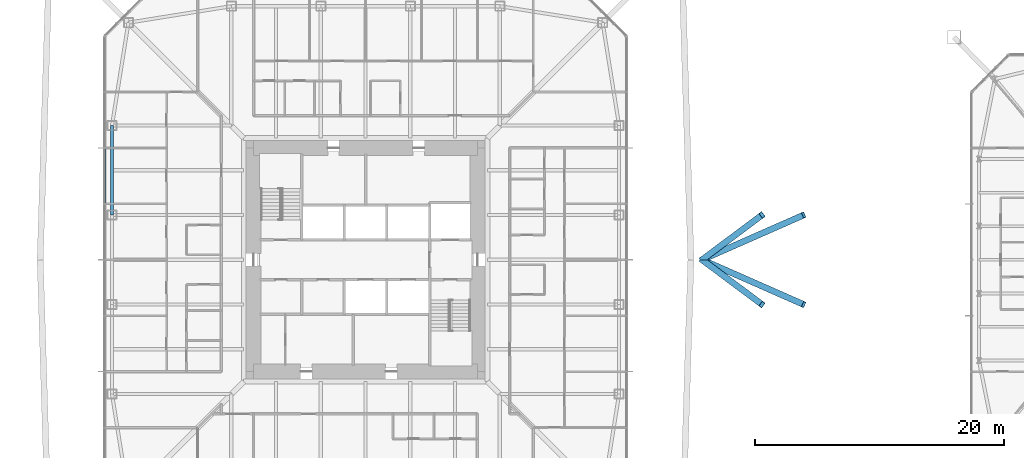
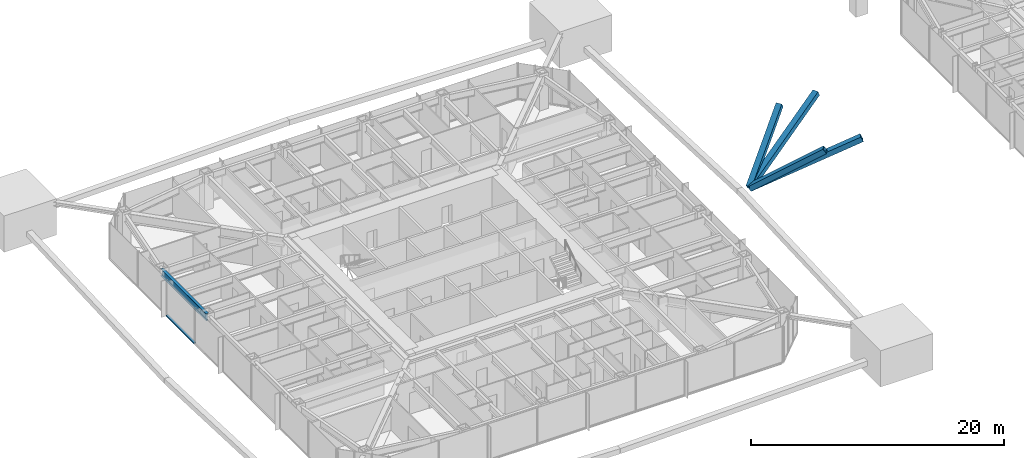
# One storey, part 6 of 27: 5 members, 1 beam, 1 element without a shape of its own.
"""IFC4 building model written with IfcOpenShell, lengths in metres."""

from ifc_helpers import new_model, si_unit, direction, frame, origin, origin_2d, place, context, subcontext, project, spatial, rectangle, hollow_rectangle, i_section, extrude, material, material_profile, profile_set, type_object, element, aggregate, save


model = new_model("IFC4")

# Units and contexts
model_context = context("Model", 3, precision=1e-05, world=origin(), true_north=direction((0.0, 1.0)))
body_context = subcontext(model_context, "Body", "Model", "MODEL_VIEW")
ifc_project = project(units=[si_unit("LENGTHUNIT", "METRE"), si_unit("AREAUNIT", "SQUARE_METRE"), si_unit("VOLUMEUNIT", "CUBIC_METRE"), si_unit("PLANEANGLEUNIT", "RADIAN"), si_unit("MASSUNIT", "GRAM", prefix="KILO")], contexts=[model_context])

# Site, building, storey
site_placement = place(None, origin())
site = spatial("IfcSite", under=ifc_project, at=site_placement, CompositionType="ELEMENT")
building_placement = place(site_placement, origin())
building = spatial("IfcBuilding", under=site, at=building_placement, Name="Iwan Alto Co-Living Towers", CompositionType="ELEMENT")
storey_placement = place(building_placement, frame((0.0, 0.0, 91.0)))
storey = spatial("IfcBuildingStorey", under=building, at=storey_placement, Name="L24", CompositionType="ELEMENT", Elevation=91.0)

# Members
ifc_material_1 = material(Name="Steel ASTM A572 Gr 50", Category="steel")
ifc_material_profile_1 = material_profile(ifc_material_1, hollow_rectangle(XDim=0.5, YDim=0.5, WallThickness=0.031982421875, at=origin_2d()), Name="BOX 500X500X32")
ifc_profile_set_1 = profile_set([ifc_material_profile_1], Name="Steel ASTM A572 Gr 50")
member_type_1 = type_object("IfcMemberType", Name="BRIDGE POD STRUT BOX 500X500X32", PredefinedType="STRUT", material=ifc_profile_set_1)
member_1_placement = place(storey_placement, frame((27.07568359375, 0.0, 1.01904296875), z_axis=(0.661103677644, -0.493351965108, 0.565283792382), x_axis=(0.598077414201, 0.801438336132, 0.0)))
element("IfcMember", 1, at=member_1_placement, inside=storey, type_object=member_type_1, Name="BR1 landing strut S", PredefinedType="STRUT", context=body_context, shape_type="SweptSolid", body=[
    extrude(hollow_rectangle(XDim=0.5, YDim=0.5, WallThickness=0.031982421875, at=origin_2d()), origin(), (0.0, 0.0, 1.0), 7.297119140625),
])
member_2_placement = place(storey_placement, frame((27.07568359375, 0.0, 1.01904296875), z_axis=(0.830851176691, -0.365919940609, 0.419271891803), x_axis=(0.403057356618, 0.915174719535, 0.0)))
element("IfcMember", 2, at=member_2_placement, inside=storey, type_object=member_type_1, Name="BR1 landing tip strut S", PredefinedType="STRUT", context=body_context, shape_type="SweptSolid", body=[
    extrude(hollow_rectangle(XDim=0.5, YDim=0.5, WallThickness=0.031982421875, at=origin_2d()), origin(), (0.0, 0.0, 1.0), 9.83837890625),
])
member_3_placement = place(storey_placement, frame((27.07568359375, 0.0, 1.01904296875), z_axis=(0.661103677644, 0.493351965108, 0.565283792382), x_axis=(-0.598077414201, 0.801438336132, 0.0)))
element("IfcMember", 3, at=member_3_placement, inside=storey, type_object=member_type_1, Name="BR1 landing strut N", PredefinedType="STRUT", context=body_context, shape_type="SweptSolid", body=[
    extrude(hollow_rectangle(XDim=0.5, YDim=0.5, WallThickness=0.031982421875, at=origin_2d()), origin(), (0.0, 0.0, 1.0), 7.297119140625),
])
member_4_placement = place(storey_placement, frame((27.07568359375, 0.0, 1.01904296875), z_axis=(0.830851176691, 0.365919940609, 0.419271891803), x_axis=(-0.403057356618, 0.915174719535, 0.0)))
element("IfcMember", 4, at=member_4_placement, inside=storey, type_object=member_type_1, Name="BR1 landing tip strut N", PredefinedType="STRUT", context=body_context, shape_type="SweptSolid", body=[
    extrude(hollow_rectangle(XDim=0.5, YDim=0.5, WallThickness=0.031982421875, at=origin_2d()), origin(), (0.0, 0.0, 1.0), 9.83837890625),
])

# Curtain wall, member
ifc_material_2 = material(Name="Bronze aluminium unitised frame", Category="aluminium")
curtain_wall_type = type_object("IfcCurtainWallType", Name="CURTAIN WALL CW-A", PredefinedType="NOTDEFINED", material=ifc_material_2)
curtain_wall_placement = place(storey_placement, origin())
curtain_wall = element("IfcCurtainWall", 5, at=curtain_wall_placement, inside=storey, type_object=curtain_wall_type, Name="T1 curtain wall W L24", PredefinedType="NOTDEFINED")
ifc_material_3 = material(Name="Aluminium 6063-T6 bronze anodised", Category="aluminium")
ifc_material_profile_2 = material_profile(ifc_material_3, rectangle(XDim=0.199951171875, YDim=0.10009765625, at=origin_2d()), Name="AL 200X100")
ifc_profile_set_2 = profile_set([ifc_material_profile_2], Name="Aluminium 6063-T6 bronze anodised")
member_type_2 = type_object("IfcMemberType", Name="CW-A TRANSOM 200X100", PredefinedType="USERDEFINED", material=ifc_profile_set_2)
member_5_placement = place(storey_placement, frame((-21.0, 8.9599609375, 0.050048828125), z_axis=(0.0, -1.0, 0.0), x_axis=(1.0, 0.0, 0.0)))
member_5 = element("IfcMember", 6, at=member_5_placement, type_object=member_type_2, Name="CW-A transom 3.1", ObjectType="TRANSOM", PredefinedType="USERDEFINED", context=body_context, shape_type="SweptSolid", body=[
    extrude(rectangle(XDim=0.199951171875, YDim=0.10009765625, at=origin_2d()), origin(), (0.0, 0.0, 1.0), 4.419921875),
])
aggregate(curtain_wall, [member_5])

# Beam
ifc_material_4 = material(Name="Steel ASTM A992 Gr 50", Category="steel")
ifc_material_profile_3 = material_profile(ifc_material_4, i_section(OverallWidth=0.25390625, OverallDepth=0.683349609375, WebThickness=0.012451171875, FlangeThickness=0.018798828125, at=origin_2d()), Name="W27X94")
ifc_profile_set_3 = profile_set([ifc_material_profile_3], Name="Steel ASTM A992 Gr 50")
beam_type = type_object("IfcBeamType", Name="T1 EDGE BEAM W27X94", PredefinedType="BEAM", material=ifc_profile_set_3)
beam_placement = place(storey_placement, frame((-20.39990234375, 10.800048828125, 2.928466796875), z_axis=(0.0, -1.0, 0.0), x_axis=(1.0, 0.0, 0.0)))
element("IfcBeam", 7, at=beam_placement, inside=storey, type_object=beam_type, Name="T1 edge beam W1 L25", PredefinedType="BEAM", context=body_context, shape_type="SweptSolid", body=[
    extrude(i_section(OverallWidth=0.25390625, OverallDepth=0.683349609375, WebThickness=0.012451171875, FlangeThickness=0.018798828125, at=origin_2d()), origin(), (0.0, 0.0, 1.0), 7.199951171875),
])

save(model, "model.ifc")
